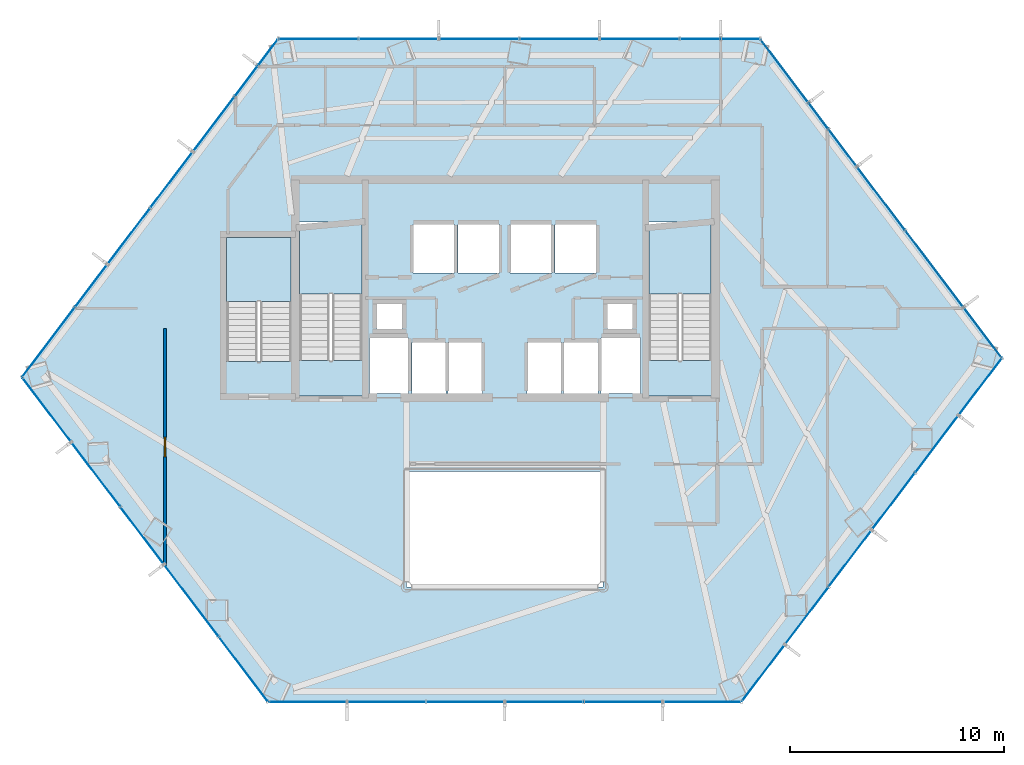
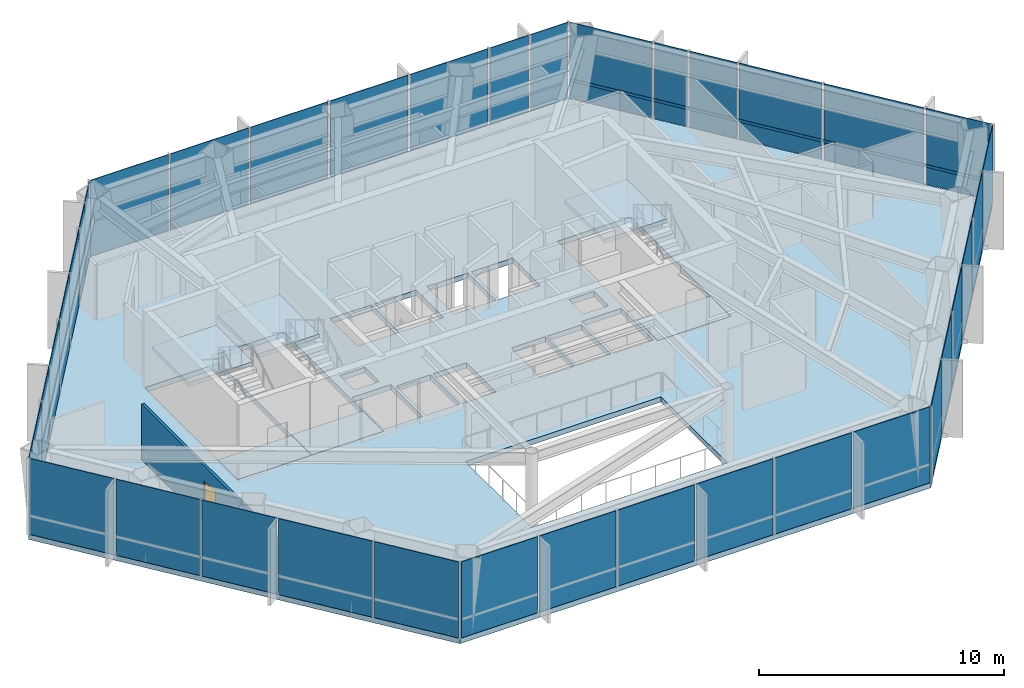
# One storey, part 23 of 27: 37 plates, 7 slabs, 1 door, 1 member, 1 wall, 1 opening, 9 elements without a shape of their own.
"""IFC4 building model written with IfcOpenShell, lengths in metres."""

import ifcopenshell
import ifcopenshell.guid

model = None  # the IFC model being written
_history = None  # IfcOwnerHistory: only IFC2X3 demands one
_inside = {}  # id of a spatial element -> (the spatial element, [elements in it])
_under = {}  # id of a project, library or spatial element -> (it, [spatial elements below it])
_declared = {}  # id of a project -> (the project, [libraries it declares])
_typed = {}  # id of a type object -> (the type object, [elements of that type])
_made_of = {}  # id of a material, layer set ... -> (it, [elements and type objects made of it])


def new_model(schema):
    """Start an empty IFC model of exactly this schema.

    Asked for "IFC4X3", IfcOpenShell would pick the latest addendum, in which some entities
    have other attributes; the version numbers below select the first issue.
    IFC2X3 requires an IfcOwnerHistory on every rooted entity: one is made here for all.
    """
    global model, _history
    if schema == "IFC4X3":
        model = ifcopenshell.file(schema_version=(4, 3, 0, 0))
    else:
        model = ifcopenshell.file(schema=schema)
    _inside.clear()
    _under.clear()
    _declared.clear()
    _typed.clear()
    _made_of.clear()
    _history = None
    if model.schema == "IFC2X3":
        org = make("IfcOrganization", Name="unknown")
        user = make(
            "IfcPersonAndOrganization",
            ThePerson=make("IfcPerson", FamilyName="unknown"),
            TheOrganization=org,
        )
        app = make(
            "IfcApplication",
            ApplicationDeveloper=org,
            Version="unknown",
            ApplicationFullName="unknown",
            ApplicationIdentifier="unknown",
        )
        _history = make(
            "IfcOwnerHistory",
            OwningUser=user,
            OwningApplication=app,
            ChangeAction="ADDED",
            CreationDate=0,
        )
    return model


def make(cls, **values):
    """One entity of the class cls with the attributes given. An attribute that is None is left unset."""
    return model.create_entity(
        cls, **{name: value for name, value in values.items() if value is not None}
    )


def rooted(cls, **values):
    """An entity with a GlobalId (a new one), such as an element, a storey or a relation."""
    return make(cls, GlobalId=ifcopenshell.guid.new(), OwnerHistory=_history, **values)


def si_unit(unit_type, name, prefix=None):
    """IfcSIUnit, for example si_unit("LENGTHUNIT", "METRE", prefix="MILLI")."""
    return make("IfcSIUnit", UnitType=unit_type, Prefix=prefix, Name=name)


def assignment(units):
    """IfcUnitAssignment: the units of a project."""
    return None if units is None else make("IfcUnitAssignment", Units=units)


def point(xyz):
    """IfcCartesianPoint."""
    return None if xyz is None else make("IfcCartesianPoint", Coordinates=xyz)


def direction(xyz):
    """IfcDirection."""
    return None if xyz is None else make("IfcDirection", DirectionRatios=xyz)


def frame(location, z_axis=None, x_axis=None):
    """IfcAxis2Placement3D, a coordinate frame: its origin and axes. An axis left out is left unset."""
    return make(
        "IfcAxis2Placement3D",
        Location=point(location),
        Axis=direction(z_axis),
        RefDirection=direction(x_axis),
    )


def frame_2d(location, x_axis=None):
    """IfcAxis2Placement2D, a coordinate frame in the plane: its origin and x axis."""
    return make(
        "IfcAxis2Placement2D", Location=point(location), RefDirection=direction(x_axis)
    )


def origin():
    """The frame at (0, 0, 0) with its axes left unset."""
    return frame((0.0, 0.0, 0.0))


def origin_2d():
    """The frame at (0, 0) in the plane with its x axis left unset."""
    return frame_2d((0.0, 0.0))


def place(relative_to, where):
    """IfcLocalPlacement: puts the frame where relative to a parent placement (None: the world)."""
    return make(
        "IfcLocalPlacement", PlacementRelTo=relative_to, RelativePlacement=where
    )


def context(
    kind, dimensions, precision=None, world=None, true_north=None, identifier=None
):
    """IfcGeometricRepresentationContext, for example the 3D "Model" context."""
    return make(
        "IfcGeometricRepresentationContext",
        ContextIdentifier=identifier,
        ContextType=kind,
        CoordinateSpaceDimension=dimensions,
        Precision=precision,
        WorldCoordinateSystem=world,
        TrueNorth=true_north,
    )


def subcontext(parent, identifier, kind, view, scale=None):
    """IfcGeometricRepresentationSubContext, for example "Body" below "Model"."""
    return make(
        "IfcGeometricRepresentationSubContext",
        ContextIdentifier=identifier,
        ContextType=kind,
        ParentContext=parent,
        TargetScale=scale,
        TargetView=view,
    )


def project(units=None, contexts=None):
    """IfcProject with its units and contexts."""
    return rooted(
        "IfcProject",
        Name="project",
        RepresentationContexts=contexts,
        UnitsInContext=assignment(units),
    )


def spatial(cls, under=None, at=None, **own):
    """A site, building, storey or space (cls), placed at a placement, below another one or the project."""
    s = rooted(cls, ObjectPlacement=at, **own)
    if under is not None:
        _under.setdefault(under.id(), (under, []))[1].append(s)
    return s


def polyline(points):
    """IfcPolyline through the points."""
    return make("IfcPolyline", Points=[point(p) for p in points])


def profile(cls, at=None, kind="AREA", **sizes):
    """A parametric profile (cls). Its sizes go by their IFC names, for example OverallWidth=200.0."""
    return make(cls, ProfileType=kind, Position=at, **sizes)


def rectangle(**sizes):
    """IfcRectangleProfileDef."""
    return profile("IfcRectangleProfileDef", **sizes)


def hollow_rectangle(**sizes):
    """IfcRectangleHollowProfileDef."""
    return profile("IfcRectangleHollowProfileDef", **sizes)


def outline(outer, holes=None, kind="AREA"):
    """IfcArbitraryClosedProfileDef: a profile drawn as a closed curve; with holes, ...WithVoids."""
    if holes is None:
        return make("IfcArbitraryClosedProfileDef", ProfileType=kind, OuterCurve=outer)
    return make(
        "IfcArbitraryProfileDefWithVoids",
        ProfileType=kind,
        OuterCurve=outer,
        InnerCurves=holes,
    )


def extrude(swept, where, along, depth):
    """IfcExtrudedAreaSolid: the profile swept, set in the frame where, extruded along a direction by depth."""
    return make(
        "IfcExtrudedAreaSolid",
        SweptArea=swept,
        Position=where,
        ExtrudedDirection=direction(along),
        Depth=depth,
    )


def shape(context_of_items, identifier, shape_type, items):
    """IfcShapeRepresentation: the items that make up one representation, for example the "Body"."""
    return make(
        "IfcShapeRepresentation",
        ContextOfItems=context_of_items,
        RepresentationIdentifier=identifier,
        RepresentationType=shape_type,
        Items=items,
    )


def material(Name=None, Category=None):
    """IfcMaterial."""
    return make("IfcMaterial", Name=Name, Category=Category)


def layer(
    of_material, thickness, ventilated=None, Name=None, Category=None, Priority=None
):
    """IfcMaterialLayer: one layer of a wall or slab, of a material (None: an air gap)."""
    return make(
        "IfcMaterialLayer",
        Material=of_material,
        LayerThickness=thickness,
        IsVentilated=ventilated,
        Name=Name,
        Category=Category,
        Priority=Priority,
    )


def layer_set(layers, Name=None):
    """IfcMaterialLayerSet."""
    return make("IfcMaterialLayerSet", MaterialLayers=layers, LayerSetName=Name)


def material_profile(
    of_material, cross_section, Name=None, Category=None, Priority=None
):
    """IfcMaterialProfile: a cross section and its material."""
    return make(
        "IfcMaterialProfile",
        Name=Name,
        Material=of_material,
        Profile=cross_section,
        Priority=Priority,
        Category=Category,
    )


def profile_set(profiles, Name=None, composite=None):
    """IfcMaterialProfileSet."""
    return make(
        "IfcMaterialProfileSet",
        Name=Name,
        MaterialProfiles=profiles,
        CompositeProfile=composite,
    )


def made_of(thing, what):
    """Note that an element or type object is made of a material, layer set ...; save() writes the relation."""
    if what is not None:
        _made_of.setdefault(what.id(), (what, []))[1].append(thing)
    return thing


def type_object(cls, material=None, **own):
    """A type object (cls), such as IfcWallType, which elements share."""
    return made_of(rooted(cls, **own), material)


def element(
    cls,
    number,
    at=None,
    inside=None,
    cuts=None,
    type_object=None,
    material=None,
    context=None,
    identifier="Body",
    shape_type=None,
    held_by="IfcProductDefinitionShape",
    body=None,
    shapes=None,
    **own,
):
    """One element of the class cls, such as IfcWall. Its Tag is "e" and its number.

    at: its placement. inside: the storey or other place that contains it. cuts: it is an
    opening in that element (IfcRelVoidsElement). A single representation is given by context,
    identifier, shape_type and body (its items); several are given by shapes. held_by: the class
    of the entity that holds the representations. save() writes the other relations.
    """
    e = rooted(cls, Tag="e%d" % number, ObjectPlacement=at, **own)
    if body is not None:
        shapes = [shape(context, identifier, shape_type, body)]
    if shapes is not None:
        e.Representation = make(held_by, Representations=shapes)
    if inside is not None:
        _inside.setdefault(inside.id(), (inside, []))[1].append(e)
    if cuts is not None:
        rooted(
            "IfcRelVoidsElement", RelatingBuildingElement=cuts, RelatedOpeningElement=e
        )
    if type_object is not None:
        _typed.setdefault(type_object.id(), (type_object, []))[1].append(e)
    return made_of(e, material)


def fill(opening, filler):
    """IfcRelFillsElement: the door or window that sits in an opening."""
    return rooted(
        "IfcRelFillsElement",
        RelatingOpeningElement=opening,
        RelatedBuildingElement=filler,
    )


def aggregate(whole, parts):
    """IfcRelAggregates: a whole, such as a stair, and the parts it consists of."""
    return rooted("IfcRelAggregates", RelatingObject=whole, RelatedObjects=parts)


def save(model, path):
    """Write the relations noted so far, then the file.

    IfcRelAggregates (storeys below a building ...), IfcRelContainedInSpatialStructure (elements
    in a storey), IfcRelDefinesByType, IfcRelAssociatesMaterial and IfcRelDeclares: one each for
    every whole, place, type object, material and project.
    """
    for whole, parts in _under.values():
        aggregate(whole, parts)
    for where, things in _inside.values():
        rooted(
            "IfcRelContainedInSpatialStructure",
            RelatedElements=things,
            RelatingStructure=where,
        )
    for kind, things in _typed.values():
        rooted("IfcRelDefinesByType", RelatedObjects=things, RelatingType=kind)
    for what, things in _made_of.values():
        rooted("IfcRelAssociatesMaterial", RelatedObjects=things, RelatingMaterial=what)
    for by, libraries in _declared.values():
        rooted("IfcRelDeclares", RelatingContext=by, RelatedDefinitions=libraries)
    model.write(path)


model = new_model("IFC4")

# Units and contexts
model_context = context("Model", 3, precision=1e-05, world=origin(), true_north=direction((0.0, 1.0)))
body_context = subcontext(model_context, "Body", "Model", "MODEL_VIEW")
ifc_project = project(units=[si_unit("LENGTHUNIT", "METRE"), si_unit("AREAUNIT", "SQUARE_METRE"), si_unit("VOLUMEUNIT", "CUBIC_METRE"), si_unit("PLANEANGLEUNIT", "RADIAN"), si_unit("MASSUNIT", "GRAM", prefix="KILO")], contexts=[model_context])

# Site, building, storey
site_placement = place(None, origin())
site = spatial("IfcSite", under=ifc_project, at=site_placement, CompositionType="ELEMENT")
building_placement = place(site_placement, origin())
building = spatial("IfcBuilding", under=site, at=building_placement, Name="Zarrinselat Tower", CompositionType="ELEMENT")
storey_placement = place(building_placement, frame((0.0, 0.0, 47.93994140625)))
storey = spatial("IfcBuildingStorey", under=building, at=storey_placement, Name="L11", CompositionType="ELEMENT", Elevation=47.93994140625)

# Curtain wall, member
ifc_material_1 = material(Name="Extruded Aluminium Alloy EN AW-6063 T6", Category="aluminium")
ifc_layer_1 = layer(ifc_material_1, 0.18505859375)
ifc_layer_set_1 = layer_set([ifc_layer_1], Name="Extruded Aluminium Alloy EN AW-6063 T6")
curtain_wall_type = type_object("IfcCurtainWallType", Name="CWS-OFF", PredefinedType="NOTDEFINED", material=ifc_layer_set_1)
curtain_wall_1_placement = place(storey_placement, origin())
curtain_wall_1 = element("IfcCurtainWall", 1, at=curtain_wall_1_placement, inside=storey, type_object=curtain_wall_type, Name="L11 Unitised Curtain Wall CW-L11-E06", PredefinedType="NOTDEFINED")
ifc_material_2 = material(Name="Extruded Aluminium Alloy EN AW-6063 T6", Category="aluminium")
ifc_material_profile = material_profile(ifc_material_2, hollow_rectangle(XDim=0.06005859375, YDim=0.139892578125, WallThickness=0.00390625, at=origin_2d()), Name="RHS 140x60x4")
ifc_profile_set = profile_set([ifc_material_profile], Name="Extruded Aluminium Alloy EN AW-6063 T6")
member_type = type_object("IfcMemberType", Name="MEM-CW-TRN", PredefinedType="USERDEFINED", material=ifc_profile_set)
member_placement = place(storey_placement, frame((61.6083984375, 35.1826171875, 0.949951171875), z_axis=(-0.60385819465, 0.797091764324, 0.0), x_axis=(-0.797091764324, -0.60385819465, 0.0)))
member = element("IfcMember", 2, at=member_placement, type_object=member_type, Name="CW-L11-E06 Transom 1", ObjectType="TRANSOM", PredefinedType="USERDEFINED", context=body_context, shape_type="SweptSolid", body=[
    extrude(hollow_rectangle(XDim=0.06005859375, YDim=0.139892578125, WallThickness=0.00390625, at=origin_2d()), origin(), (0.0, 0.0, 1.0), 18.554931640625),
])

# Curtain wall, plates
curtain_wall_2_placement = place(storey_placement, origin())
curtain_wall_2 = element("IfcCurtainWall", 3, at=curtain_wall_2_placement, inside=storey, type_object=curtain_wall_type, Name="L11 Unitised Curtain Wall CW-L11-E01", PredefinedType="NOTDEFINED")
ifc_material_3 = material(Name="Double Low-E Laminated Solar Glass", Category="glass")
ifc_layer_2 = layer(ifc_material_3, 0.031982421875)
ifc_layer_set_2 = layer_set([ifc_layer_2], Name="Double Low-E Laminated Solar Glass")
plate_type = type_object("IfcPlateType", Name="PLT-CW-GL32", PredefinedType="CURTAIN_PANEL", material=ifc_layer_set_2)
plate_1_placement = place(storey_placement, frame((49.4248046875, 50.04443359375, 0.02001953125), z_axis=(0.0, 0.0, 1.0), x_axis=(-1.0, 0.0, 0.0)))
plate_1 = element("IfcPlate", 4, at=plate_1_placement, type_object=plate_type, Name="CW-L11-E01 Vision Glass Panel 1", PredefinedType="CURTAIN_PANEL", context=body_context, shape_type="SweptSolid", body=[
    extrude(rectangle(XDim=1.74951171875, YDim=0.031982421875, at=origin_2d()), origin(), (0.0, 0.0, 1.0), 3.780029296875),
])
plate_2_placement = place(storey_placement, frame((47.54541015625, 50.04443359375, 0.02001953125), z_axis=(0.0, 0.0, 1.0), x_axis=(-1.0, 0.0, 0.0)))
plate_2 = element("IfcPlate", 5, at=plate_2_placement, type_object=plate_type, Name="CW-L11-E01 Vision Glass Panel 2", PredefinedType="CURTAIN_PANEL", context=body_context, shape_type="SweptSolid", body=[
    extrude(rectangle(XDim=1.80908203125, YDim=0.031982421875, at=origin_2d()), origin(), (0.0, 0.0, 1.0), 3.780029296875),
])
plate_3_placement = place(storey_placement, frame((44.7119140625, 50.04443359375, 0.02001953125), z_axis=(0.0, 0.0, 1.0), x_axis=(-1.0, 0.0, 0.0)))
plate_3 = element("IfcPlate", 6, at=plate_3_placement, type_object=plate_type, Name="CW-L11-E01 Vision Glass Panel 3", PredefinedType="CURTAIN_PANEL", context=body_context, shape_type="SweptSolid", body=[
    extrude(rectangle(XDim=3.658447265625, YDim=0.031982421875, at=origin_2d()), origin(), (0.0, 0.0, 1.0), 3.780029296875),
])
plate_4_placement = place(storey_placement, frame((40.953369140625, 50.04443359375, 0.02001953125), z_axis=(0.0, 0.0, 1.0), x_axis=(-1.0, 0.0, 0.0)))
plate_4 = element("IfcPlate", 7, at=plate_4_placement, type_object=plate_type, Name="CW-L11-E01 Vision Glass Panel 4", PredefinedType="CURTAIN_PANEL", context=body_context, shape_type="SweptSolid", body=[
    extrude(rectangle(XDim=3.658447265625, YDim=0.031982421875, at=origin_2d()), origin(), (0.0, 0.0, 1.0), 3.780029296875),
])
plate_5_placement = place(storey_placement, frame((37.195068359375, 50.04443359375, 0.02001953125), z_axis=(0.0, 0.0, 1.0), x_axis=(-1.0, 0.0, 0.0)))
plate_5 = element("IfcPlate", 8, at=plate_5_placement, type_object=plate_type, Name="CW-L11-E01 Vision Glass Panel 5", PredefinedType="CURTAIN_PANEL", context=body_context, shape_type="SweptSolid", body=[
    extrude(rectangle(XDim=3.658447265625, YDim=0.031982421875, at=origin_2d()), origin(), (0.0, 0.0, 1.0), 3.780029296875),
])
plate_6_placement = place(storey_placement, frame((33.436767578125, 50.04443359375, 0.02001953125), z_axis=(0.0, 0.0, 1.0), x_axis=(-1.0, 0.0, 0.0)))
plate_6 = element("IfcPlate", 9, at=plate_6_placement, type_object=plate_type, Name="CW-L11-E01 Vision Glass Panel 6", PredefinedType="CURTAIN_PANEL", context=body_context, shape_type="SweptSolid", body=[
    extrude(rectangle(XDim=3.658447265625, YDim=0.031982421875, at=origin_2d()), origin(), (0.0, 0.0, 1.0), 3.780029296875),
])
plate_7_placement = place(storey_placement, frame((29.67822265625, 50.04443359375, 0.02001953125), z_axis=(0.0, 0.0, 1.0), x_axis=(-1.0, 0.0, 0.0)))
plate_7 = element("IfcPlate", 10, at=plate_7_placement, type_object=plate_type, Name="CW-L11-E01 Vision Glass Panel 7", PredefinedType="CURTAIN_PANEL", context=body_context, shape_type="SweptSolid", body=[
    extrude(rectangle(XDim=3.658447265625, YDim=0.031982421875, at=origin_2d()), origin(), (0.0, 0.0, 1.0), 3.780029296875),
])
aggregate(curtain_wall_2, [plate_1, plate_2, plate_3, plate_4, plate_5, plate_6, plate_7])

curtain_wall_3_placement = place(storey_placement, origin())
curtain_wall_3 = element("IfcCurtainWall", 11, at=curtain_wall_3_placement, inside=storey, type_object=curtain_wall_type, Name="L11 Unitised Curtain Wall CW-L11-E02", PredefinedType="NOTDEFINED")
plate_8_placement = place(storey_placement, frame((27.322509765625, 49.415283203125, 0.02001953125), z_axis=(0.0, 0.0, 1.0), x_axis=(-0.603856912101, -0.797092735952, 0.0)))
plate_8 = element("IfcPlate", 12, at=plate_8_placement, type_object=plate_type, Name="CW-L11-E02 Vision Glass Panel 1", PredefinedType="CURTAIN_PANEL", context=body_context, shape_type="SweptSolid", body=[
    extrude(rectangle(XDim=1.478515625, YDim=0.031982421875, at=origin_2d()), origin(), (0.0, 0.0, 1.0), 3.780029296875),
])
plate_9_placement = place(storey_placement, frame((26.299072265625, 48.064208984375, 0.02001953125), z_axis=(0.0, 0.0, 1.0), x_axis=(-0.603856912101, -0.797092735952, 0.0)))
plate_9 = element("IfcPlate", 13, at=plate_9_placement, type_object=plate_type, Name="CW-L11-E02 Vision Glass Panel 2", PredefinedType="CURTAIN_PANEL", context=body_context, shape_type="SweptSolid", body=[
    extrude(rectangle(XDim=1.711181640625, YDim=0.031982421875, at=origin_2d()), origin(), (0.0, 0.0, 1.0), 3.780029296875),
])
plate_10_placement = place(storey_placement, frame((24.777587890625, 46.05615234375, 0.02001953125), z_axis=(0.0, 0.0, 1.0), x_axis=(-0.603856912101, -0.797092735952, 0.0)))
plate_10 = element("IfcPlate", 14, at=plate_10_placement, type_object=plate_type, Name="CW-L11-E02 Vision Glass Panel 3", PredefinedType="CURTAIN_PANEL", context=body_context, shape_type="SweptSolid", body=[
    extrude(rectangle(XDim=3.12744140625, YDim=0.031982421875, at=origin_2d()), origin(), (0.0, 0.0, 1.0), 3.780029296875),
])
plate_11_placement = place(storey_placement, frame((22.80419921875, 43.451416015625, 0.02001953125), z_axis=(0.0, 0.0, 1.0), x_axis=(-0.603856912101, -0.797092735952, 0.0)))
plate_11 = element("IfcPlate", 15, at=plate_11_placement, type_object=plate_type, Name="CW-L11-E02 Vision Glass Panel 4", PredefinedType="CURTAIN_PANEL", context=body_context, shape_type="SweptSolid", body=[
    extrude(rectangle(XDim=3.20849609375, YDim=0.031982421875, at=origin_2d()), origin(), (0.0, 0.0, 1.0), 3.780029296875),
])
plate_12_placement = place(storey_placement, frame((20.806396484375, 40.814208984375, 0.02001953125), z_axis=(0.0, 0.0, 1.0), x_axis=(-0.603856912101, -0.797092735952, 0.0)))
plate_12 = element("IfcPlate", 16, at=plate_12_placement, type_object=plate_type, Name="CW-L11-E02 Vision Glass Panel 5", PredefinedType="CURTAIN_PANEL", context=body_context, shape_type="SweptSolid", body=[
    extrude(rectangle(XDim=3.20849609375, YDim=0.031982421875, at=origin_2d()), origin(), (0.0, 0.0, 1.0), 3.780029296875),
])
plate_13_placement = place(storey_placement, frame((19.04638671875, 38.490966796875, 0.02001953125), z_axis=(0.0, 0.0, 1.0), x_axis=(-0.603856912101, -0.797092735952, 0.0)))
plate_13 = element("IfcPlate", 17, at=plate_13_placement, type_object=plate_type, Name="CW-L11-E02 Vision Glass Panel 6", PredefinedType="CURTAIN_PANEL", context=body_context, shape_type="SweptSolid", body=[
    extrude(rectangle(XDim=2.420654296875, YDim=0.031982421875, at=origin_2d()), origin(), (0.0, 0.0, 1.0), 3.780029296875),
])
plate_14_placement = place(storey_placement, frame((17.048583984375, 35.853515625, 0.02001953125), z_axis=(0.0, 0.0, 1.0), x_axis=(-0.603856912101, -0.797092735952, 0.0)))
plate_14 = element("IfcPlate", 18, at=plate_14_placement, type_object=plate_type, Name="CW-L11-E02 Vision Glass Panel 7", PredefinedType="CURTAIN_PANEL", context=body_context, shape_type="SweptSolid", body=[
    extrude(rectangle(XDim=3.996337890625, YDim=0.031982421875, at=origin_2d()), origin(), (0.0, 0.0, 1.0), 3.780029296875),
])
aggregate(curtain_wall_3, [plate_8, plate_9, plate_10, plate_11, plate_12, plate_13, plate_14])

curtain_wall_4_placement = place(storey_placement, origin())
curtain_wall_4 = element("IfcCurtainWall", 19, at=curtain_wall_4_placement, inside=storey, type_object=curtain_wall_type, Name="L11 Unitised Curtain Wall CW-L11-E03", PredefinedType="NOTDEFINED")
plate_15_placement = place(storey_placement, frame((16.963134765625, 32.701171875, 0.02001953125), z_axis=(0.0, 0.0, 1.0), x_axis=(0.603857284091, -0.797092454142, 0.0)))
plate_15 = element("IfcPlate", 20, at=plate_15_placement, type_object=plate_type, Name="CW-L11-E03 Vision Glass Panel 1", PredefinedType="CURTAIN_PANEL", context=body_context, shape_type="SweptSolid", body=[
    extrude(rectangle(XDim=3.71337890625, YDim=0.031982421875, at=origin_2d()), origin(), (0.0, 0.0, 1.0), 3.780029296875),
])
plate_16_placement = place(storey_placement, frame((19.265869140625, 29.66162109375, 0.02001953125), z_axis=(0.0, 0.0, 1.0), x_axis=(0.603857284091, -0.797092454142, 0.0)))
plate_16 = element("IfcPlate", 21, at=plate_16_placement, type_object=plate_type, Name="CW-L11-E03 Vision Glass Panel 2", PredefinedType="CURTAIN_PANEL", context=body_context, shape_type="SweptSolid", body=[
    extrude(rectangle(XDim=3.71337890625, YDim=0.031982421875, at=origin_2d()), origin(), (0.0, 0.0, 1.0), 3.780029296875),
])
plate_17_placement = place(storey_placement, frame((21.434814453125, 26.798583984375, 0.02001953125), z_axis=(0.0, 0.0, 1.0), x_axis=(0.603857284091, -0.797092454142, 0.0)))
plate_17 = element("IfcPlate", 22, at=plate_17_placement, type_object=plate_type, Name="CW-L11-E03 Vision Glass Panel 3", PredefinedType="CURTAIN_PANEL", context=body_context, shape_type="SweptSolid", body=[
    extrude(rectangle(XDim=3.27001953125, YDim=0.031982421875, at=origin_2d()), origin(), (0.0, 0.0, 1.0), 3.780029296875),
])
plate_18_placement = place(storey_placement, frame((23.7373046875, 23.759033203125, 0.02001953125), z_axis=(0.0, 0.0, 1.0), x_axis=(0.603857284091, -0.797092454142, 0.0)))
plate_18 = element("IfcPlate", 23, at=plate_18_placement, type_object=plate_type, Name="CW-L11-E03 Vision Glass Panel 4", PredefinedType="CURTAIN_PANEL", context=body_context, shape_type="SweptSolid", body=[
    extrude(rectangle(XDim=4.15673828125, YDim=0.031982421875, at=origin_2d()), origin(), (0.0, 0.0, 1.0), 3.780029296875),
])
plate_19_placement = place(storey_placement, frame((26.174072265625, 20.542724609375, 0.02001953125), z_axis=(0.0, 0.0, 1.0), x_axis=(0.603857284091, -0.797092454142, 0.0)))
plate_19 = element("IfcPlate", 24, at=plate_19_placement, type_object=plate_type, Name="CW-L11-E03 Vision Glass Panel 5", PredefinedType="CURTAIN_PANEL", context=body_context, shape_type="SweptSolid", body=[
    extrude(rectangle(XDim=3.71337890625, YDim=0.031982421875, at=origin_2d()), origin(), (0.0, 0.0, 1.0), 3.780029296875),
])
aggregate(curtain_wall_4, [plate_15, plate_16, plate_17, plate_18, plate_19])

curtain_wall_5_placement = place(storey_placement, origin())
curtain_wall_5 = element("IfcCurtainWall", 25, at=curtain_wall_5_placement, inside=storey, type_object=curtain_wall_type, Name="L11 Unitised Curtain Wall CW-L11-E04", PredefinedType="NOTDEFINED")
plate_20_placement = place(storey_placement, frame((29.171142578125, 19.02294921875, 0.02001953125), z_axis=(0.0, 0.0, 1.0), x_axis=(1.0, 0.0, 0.0)))
plate_20 = element("IfcPlate", 26, at=plate_20_placement, type_object=plate_type, Name="CW-L11-E04 Vision Glass Panel 1", PredefinedType="CURTAIN_PANEL", context=body_context, shape_type="SweptSolid", body=[
    extrude(rectangle(XDim=3.591552734375, YDim=0.031982421875, at=origin_2d()), origin(), (0.0, 0.0, 1.0), 3.780029296875),
])
plate_21_placement = place(storey_placement, frame((32.86279296875, 19.02294921875, 0.02001953125), z_axis=(0.0, 0.0, 1.0), x_axis=(1.0, 0.0, 0.0)))
plate_21 = element("IfcPlate", 27, at=plate_21_placement, type_object=plate_type, Name="CW-L11-E04 Vision Glass Panel 2", PredefinedType="CURTAIN_PANEL", context=body_context, shape_type="SweptSolid", body=[
    extrude(rectangle(XDim=3.591552734375, YDim=0.031982421875, at=origin_2d()), origin(), (0.0, 0.0, 1.0), 3.780029296875),
])
plate_22_placement = place(storey_placement, frame((36.55419921875, 19.02294921875, 0.02001953125), z_axis=(0.0, 0.0, 1.0), x_axis=(1.0, 0.0, 0.0)))
plate_22 = element("IfcPlate", 28, at=plate_22_placement, type_object=plate_type, Name="CW-L11-E04 Vision Glass Panel 3", PredefinedType="CURTAIN_PANEL", context=body_context, shape_type="SweptSolid", body=[
    extrude(rectangle(XDim=3.591552734375, YDim=0.031982421875, at=origin_2d()), origin(), (0.0, 0.0, 1.0), 3.780029296875),
])
plate_23_placement = place(storey_placement, frame((40.245849609375, 19.02294921875, 0.02001953125), z_axis=(0.0, 0.0, 1.0), x_axis=(1.0, 0.0, 0.0)))
plate_23 = element("IfcPlate", 29, at=plate_23_placement, type_object=plate_type, Name="CW-L11-E04 Vision Glass Panel 4", PredefinedType="CURTAIN_PANEL", context=body_context, shape_type="SweptSolid", body=[
    extrude(rectangle(XDim=3.591552734375, YDim=0.031982421875, at=origin_2d()), origin(), (0.0, 0.0, 1.0), 3.780029296875),
])
plate_24_placement = place(storey_placement, frame((43.937255859375, 19.02294921875, 0.02001953125), z_axis=(0.0, 0.0, 1.0), x_axis=(1.0, 0.0, 0.0)))
plate_24 = element("IfcPlate", 30, at=plate_24_placement, type_object=plate_type, Name="CW-L11-E04 Vision Glass Panel 5", PredefinedType="CURTAIN_PANEL", context=body_context, shape_type="SweptSolid", body=[
    extrude(rectangle(XDim=3.591552734375, YDim=0.031982421875, at=origin_2d()), origin(), (0.0, 0.0, 1.0), 3.780029296875),
])
plate_25_placement = place(storey_placement, frame((47.62890625, 19.02294921875, 0.02001953125), z_axis=(0.0, 0.0, 1.0), x_axis=(1.0, 0.0, 0.0)))
plate_25 = element("IfcPlate", 31, at=plate_25_placement, type_object=plate_type, Name="CW-L11-E04 Vision Glass Panel 6", PredefinedType="CURTAIN_PANEL", context=body_context, shape_type="SweptSolid", body=[
    extrude(rectangle(XDim=3.591552734375, YDim=0.031982421875, at=origin_2d()), origin(), (0.0, 0.0, 1.0), 3.780029296875),
])
aggregate(curtain_wall_5, [plate_20, plate_21, plate_22, plate_23, plate_24, plate_25])

curtain_wall_6_placement = place(storey_placement, origin())
curtain_wall_6 = element("IfcCurtainWall", 32, at=curtain_wall_6_placement, inside=storey, type_object=curtain_wall_type, Name="L11 Unitised Curtain Wall CW-L11-E05", PredefinedType="NOTDEFINED")
plate_26_placement = place(storey_placement, frame((50.490234375, 20.363525390625, 0.02001953125), z_axis=(0.0, 0.0, 1.0), x_axis=(0.603859118859, 0.797091064164, 0.0)))
plate_26 = element("IfcPlate", 33, at=plate_26_placement, type_object=plate_type, Name="CW-L11-E05 Vision Glass Panel 1", PredefinedType="CURTAIN_PANEL", context=body_context, shape_type="SweptSolid", body=[
    extrude(rectangle(XDim=3.263916015625, YDim=0.031982421875, at=origin_2d()), origin(), (0.0, 0.0, 1.0), 3.780029296875),
])
plate_27_placement = place(storey_placement, frame((52.52685546875, 23.052001953125, 0.02001953125), z_axis=(0.0, 0.0, 1.0), x_axis=(0.603859118859, 0.797091064164, 0.0)))
plate_27 = element("IfcPlate", 34, at=plate_27_placement, type_object=plate_type, Name="CW-L11-E05 Vision Glass Panel 2", PredefinedType="CURTAIN_PANEL", context=body_context, shape_type="SweptSolid", body=[
    extrude(rectangle(XDim=3.281494140625, YDim=0.031982421875, at=origin_2d()), origin(), (0.0, 0.0, 1.0), 3.780029296875),
])
plate_28_placement = place(storey_placement, frame((54.55810546875, 25.7333984375, 0.02001953125), z_axis=(0.0, 0.0, 1.0), x_axis=(0.603859118859, 0.797091064164, 0.0)))
plate_28 = element("IfcPlate", 35, at=plate_28_placement, type_object=plate_type, Name="CW-L11-E05 Vision Glass Panel 3", PredefinedType="CURTAIN_PANEL", context=body_context, shape_type="SweptSolid", body=[
    extrude(rectangle(XDim=3.246337890625, YDim=0.031982421875, at=origin_2d()), origin(), (0.0, 0.0, 1.0), 3.780029296875),
])
plate_29_placement = place(storey_placement, frame((56.584228515625, 28.40771484375, 0.02001953125), z_axis=(0.0, 0.0, 1.0), x_axis=(0.603859118859, 0.797091064164, 0.0)))
plate_29 = element("IfcPlate", 36, at=plate_29_placement, type_object=plate_type, Name="CW-L11-E05 Vision Glass Panel 4", PredefinedType="CURTAIN_PANEL", context=body_context, shape_type="SweptSolid", body=[
    extrude(rectangle(XDim=3.263916015625, YDim=0.031982421875, at=origin_2d()), origin(), (0.0, 0.0, 1.0), 3.780029296875),
])
plate_30_placement = place(storey_placement, frame((58.615478515625, 31.089111328125, 0.02001953125), z_axis=(0.0, 0.0, 1.0), x_axis=(0.603859118859, 0.797091064164, 0.0)))
plate_30 = element("IfcPlate", 37, at=plate_30_placement, type_object=plate_type, Name="CW-L11-E05 Vision Glass Panel 5", PredefinedType="CURTAIN_PANEL", context=body_context, shape_type="SweptSolid", body=[
    extrude(rectangle(XDim=3.263916015625, YDim=0.031982421875, at=origin_2d()), origin(), (0.0, 0.0, 1.0), 3.780029296875),
])
plate_31_placement = place(storey_placement, frame((60.64697265625, 33.770263671875, 0.02001953125), z_axis=(0.0, 0.0, 1.0), x_axis=(0.603859118859, 0.797091064164, 0.0)))
plate_31 = element("IfcPlate", 38, at=plate_31_placement, type_object=plate_type, Name="CW-L11-E05 Vision Glass Panel 6", PredefinedType="CURTAIN_PANEL", context=body_context, shape_type="SweptSolid", body=[
    extrude(rectangle(XDim=3.263916015625, YDim=0.031982421875, at=origin_2d()), origin(), (0.0, 0.0, 1.0), 3.780029296875),
])
aggregate(curtain_wall_6, [plate_26, plate_27, plate_28, plate_29, plate_30, plate_31])

# Plate
plate_32_placement = place(storey_placement, frame((60.762939453125, 36.298583984375, 0.02001953125), z_axis=(0.0, 0.0, 1.0), x_axis=(-0.603858304597, 0.797091681031, 0.0)))
plate_32 = element("IfcPlate", 39, at=plate_32_placement, type_object=plate_type, Name="CW-L11-E06 Vision Glass Panel 1", PredefinedType="CURTAIN_PANEL", context=body_context, shape_type="SweptSolid", body=[
    extrude(rectangle(XDim=2.8798828125, YDim=0.031982421875, at=origin_2d()), origin(), (0.0, 0.0, 1.0), 3.780029296875),
])

plate_33_placement = place(storey_placement, frame((58.500244140625, 39.285400390625, 0.02001953125), z_axis=(0.0, 0.0, 1.0), x_axis=(-0.603858304597, 0.797091681031, 0.0)))
plate_33 = element("IfcPlate", 40, at=plate_33_placement, type_object=plate_type, Name="CW-L11-E06 Vision Glass Panel 2", PredefinedType="CURTAIN_PANEL", context=body_context, shape_type="SweptSolid", body=[
    extrude(rectangle(XDim=4.4140625, YDim=0.031982421875, at=origin_2d()), origin(), (0.0, 0.0, 1.0), 3.780029296875),
])

plate_34_placement = place(storey_placement, frame((56.006103515625, 42.57763671875, 0.02001953125), z_axis=(0.0, 0.0, 1.0), x_axis=(-0.603858304597, 0.797091681031, 0.0)))
plate_34 = element("IfcPlate", 41, at=plate_34_placement, type_object=plate_type, Name="CW-L11-E06 Vision Glass Panel 3", PredefinedType="CURTAIN_PANEL", context=body_context, shape_type="SweptSolid", body=[
    extrude(rectangle(XDim=3.64697265625, YDim=0.031982421875, at=origin_2d()), origin(), (0.0, 0.0, 1.0), 3.780029296875),
])

plate_35_placement = place(storey_placement, frame((54.211181640625, 44.94677734375, 0.02001953125), z_axis=(0.0, 0.0, 1.0), x_axis=(-0.603858304597, 0.797091681031, 0.0)))
plate_35 = element("IfcPlate", 42, at=plate_35_placement, type_object=plate_type, Name="CW-L11-E06 Vision Glass Panel 4", PredefinedType="CURTAIN_PANEL", context=body_context, shape_type="SweptSolid", body=[
    extrude(rectangle(XDim=2.097412109375, YDim=0.031982421875, at=origin_2d()), origin(), (0.0, 0.0, 1.0), 3.780029296875),
])

plate_36_placement = place(storey_placement, frame((53.079833984375, 46.440185546875, 0.02001953125), z_axis=(0.0, 0.0, 1.0), x_axis=(-0.603858304597, 0.797091681031, 0.0)))
plate_36 = element("IfcPlate", 43, at=plate_36_placement, type_object=plate_type, Name="CW-L11-E06 Vision Glass Panel 5", PredefinedType="CURTAIN_PANEL", context=body_context, shape_type="SweptSolid", body=[
    extrude(rectangle(XDim=1.44970703125, YDim=0.031982421875, at=origin_2d()), origin(), (0.0, 0.0, 1.0), 3.780029296875),
])

plate_37_placement = place(storey_placement, frame((51.480712890625, 48.551025390625, 0.02001953125), z_axis=(0.0, 0.0, 1.0), x_axis=(-0.603858304597, 0.797091681031, 0.0)))
plate_37 = element("IfcPlate", 44, at=plate_37_placement, type_object=plate_type, Name="CW-L11-E06 Vision Glass Panel 6", PredefinedType="CURTAIN_PANEL", context=body_context, shape_type="SweptSolid", body=[
    extrude(rectangle(XDim=3.64697265625, YDim=0.031982421875, at=origin_2d()), origin(), (0.0, 0.0, 1.0), 3.780029296875),
])

aggregate(curtain_wall_1, [member, plate_32, plate_33, plate_34, plate_35, plate_36, plate_37])

# Slabs
ifc_material_4 = material(Name="Concrete C40/50", Category="concrete")
ifc_layer_3 = layer(ifc_material_4, 0.260009765625)
ifc_layer_set_3 = layer_set([ifc_layer_3], Name="Concrete C40/50")
slab_type_1 = type_object("IfcSlabType", Name="SLB-FLOOR-260-SL-OF260", PredefinedType="FLOOR", material=ifc_layer_set_3)
slab_1_placement = place(storey_placement, frame((0.0, 0.0, -0.260009765625)))
element("IfcSlab", 45, at=slab_1_placement, inside=storey, type_object=slab_type_1, Name="L11 Primary Structural Slab", PredefinedType="FLOOR", context=body_context, shape_type="SweptSolid", body=[
    extrude(outline(polyline([(50.349365234375, 50.04443359375), (27.799072265625, 50.04443359375), (15.811767578125, 34.220947265625), (27.325439453125, 19.02294921875), (49.474609375, 19.02294921875), (61.66259765625, 35.111083984375), (50.349365234375, 50.04443359375)]), holes=[polyline([(34.050048828125, 33.449951171875), (34.050048828125, 35.85009765625), (35.64990234375, 35.85009765625), (35.64990234375, 33.449951171875), (34.050048828125, 33.449951171875)]), polyline([(35.75, 33.449951171875), (35.75, 35.85009765625), (37.35009765625, 35.85009765625), (37.35009765625, 33.449951171875), (35.75, 33.449951171875)]), polyline([(32.06005859375, 33.449951171875), (32.06005859375, 36.050048828125), (33.89990234375, 36.050048828125), (33.89990234375, 33.449951171875), (32.06005859375, 33.449951171875)]), polyline([(32.419921875, 36.47998046875), (32.419921875, 37.639892578125), (33.60009765625, 37.639892578125), (33.60009765625, 36.47998046875), (32.419921875, 36.47998046875)]), polyline([(28.594970703125, 33.324951171875), (25.114990234375, 33.324951171875), (25.114990234375, 40.875), (28.594970703125, 40.875), (28.594970703125, 33.324951171875)]), polyline([(31.985107421875, 33.324951171875), (28.60498046875, 33.324951171875), (28.60498046875, 41.47509765625), (31.985107421875, 41.47509765625), (31.985107421875, 33.324951171875)]), polyline([(34.10009765625, 39.10009765625), (34.10009765625, 41.35009765625), (36.050048828125, 41.35009765625), (36.050048828125, 39.10009765625), (34.10009765625, 39.10009765625)]), polyline([(36.199951171875, 39.10009765625), (36.199951171875, 41.35009765625), (38.14990234375, 41.35009765625), (38.14990234375, 39.10009765625), (36.199951171875, 39.10009765625)]), polyline([(33.800048828125, 24.39990234375), (33.800048828125, 29.800048828125), (43.0, 29.800048828125), (43.0, 24.39990234375), (33.800048828125, 24.39990234375)]), polyline([(39.449951171875, 33.449951171875), (39.449951171875, 35.85009765625), (41.050048828125, 35.85009765625), (41.050048828125, 33.449951171875), (39.449951171875, 33.449951171875)]), polyline([(41.14990234375, 33.449951171875), (41.14990234375, 35.85009765625), (42.75, 35.85009765625), (42.75, 33.449951171875), (41.14990234375, 33.449951171875)]), polyline([(42.89990234375, 33.449951171875), (42.89990234375, 36.050048828125), (44.739990234375, 36.050048828125), (44.739990234375, 33.449951171875), (42.89990234375, 33.449951171875)]), polyline([(43.199951171875, 36.47998046875), (43.199951171875, 37.639892578125), (44.3798828125, 37.639892578125), (44.3798828125, 36.47998046875), (43.199951171875, 36.47998046875)]), polyline([(48.324951171875, 33.324951171875), (44.875, 33.324951171875), (44.875, 41.47509765625), (48.324951171875, 41.47509765625), (48.324951171875, 33.324951171875)]), polyline([(38.64990234375, 39.10009765625), (38.64990234375, 41.35009765625), (40.60009765625, 41.35009765625), (40.60009765625, 39.10009765625), (38.64990234375, 39.10009765625)]), polyline([(40.75, 39.10009765625), (40.75, 41.35009765625), (42.699951171875, 41.35009765625), (42.699951171875, 39.10009765625), (40.75, 39.10009765625)])]), origin(), (0.0, 0.0, 1.0), 0.260009765625),
])
slab_2_placement = place(storey_placement, frame((0.0, 0.0, -0.260009765625)))
element("IfcSlab", 46, at=slab_2_placement, inside=storey, type_object=slab_type_1, Name="L11 Stair ST-1-FL1 Structural Floor Landing", PredefinedType="FLOOR", context=body_context, shape_type="SweptSolid", body=[
    extrude(outline(polyline([(31.97998046875, 33.330078125), (31.97998046875, 35.0), (28.610107421875, 35.0), (28.610107421875, 33.330078125), (31.97998046875, 33.330078125)])), origin(), (0.0, 0.0, 1.0), 0.260009765625),
])
slab_3_placement = place(storey_placement, frame((0.0, 0.0, -0.260009765625)))
element("IfcSlab", 47, at=slab_3_placement, inside=storey, type_object=slab_type_1, Name="L11 Stair ST-2-FL1 Structural Floor Landing", PredefinedType="FLOOR", context=body_context, shape_type="SweptSolid", body=[
    extrude(outline(polyline([(48.320068359375, 33.330078125), (48.320068359375, 35.0), (44.8798828125, 35.0), (44.8798828125, 33.330078125), (48.320068359375, 33.330078125)])), origin(), (0.0, 0.0, 1.0), 0.260009765625),
])
slab_4_placement = place(storey_placement, frame((0.0, 0.0, -0.260009765625)))
element("IfcSlab", 48, at=slab_4_placement, inside=storey, type_object=slab_type_1, Name="L11 Stair ST-3-FL1 Structural Floor Landing", PredefinedType="FLOOR", context=body_context, shape_type="SweptSolid", body=[
    extrude(outline(polyline([(28.590087890625, 33.330078125), (28.590087890625, 34.949951171875), (25.1201171875, 34.949951171875), (25.1201171875, 33.330078125), (28.590087890625, 33.330078125)])), origin(), (0.0, 0.0, 1.0), 0.260009765625),
])

# Stair, slab
ifc_material_5 = material(Name="Concrete C40/50", Category="concrete")
stair_type_1 = type_object("IfcStairType", Name="STR-CORE-145", PredefinedType="HALF_TURN_STAIR", material=ifc_material_5)
stair_1_placement = place(storey_placement, origin())
stair_1 = element("IfcStair", 49, at=stair_1_placement, inside=storey, type_object=stair_type_1, Name="L11 Podium & Mid-Tower Exit Stair 3", PredefinedType="HALF_TURN_STAIR")
ifc_material_6 = material(Name="Concrete C40/50", Category="concrete")
ifc_layer_4 = layer(ifc_material_6, 0.1650390625)
ifc_layer_set_4 = layer_set([ifc_layer_4], Name="Concrete C40/50")
slab_type_2 = type_object("IfcSlabType", Name="SLB-LND-165", PredefinedType="LANDING", material=ifc_layer_set_4)
slab_5_placement = place(storey_placement, frame((0.0, 0.0, 1.840087890625)))
slab_5 = element("IfcSlab", 50, at=slab_5_placement, type_object=slab_type_2, Name="ST-3 landing 1", PredefinedType="LANDING", context=body_context, shape_type="SweptSolid", body=[
    extrude(outline(polyline([(28.39990234375, 37.75), (28.39990234375, 40.75), (25.3798828125, 40.75), (25.3798828125, 37.75), (28.39990234375, 37.75)])), origin(), (0.0, 0.0, 1.0), 0.199951171875),
])
aggregate(stair_1, [slab_5])

ifc_material_7 = material(Name="Concrete C40/50", Category="concrete")
stair_type_2 = type_object("IfcStairType", Name="STR-CORE-155", PredefinedType="HALF_TURN_STAIR", material=ifc_material_7)
stair_2_placement = place(storey_placement, origin())
stair_2 = element("IfcStair", 51, at=stair_2_placement, inside=storey, type_object=stair_type_2, Name="L11 Core Exit Stair 1", PredefinedType="HALF_TURN_STAIR")
ifc_material_8 = material(Name="Concrete C40/50", Category="concrete")
ifc_layer_5 = layer(ifc_material_8, 0.18994140625)
ifc_layer_set_5 = layer_set([ifc_layer_5], Name="Concrete C40/50")
slab_type_3 = type_object("IfcSlabType", Name="SLB-LND-190", PredefinedType="LANDING", material=ifc_layer_set_5)
slab_6_placement = place(storey_placement, frame((0.0, 0.0, 1.840087890625)))
slab_6 = element("IfcSlab", 52, at=slab_6_placement, type_object=slab_type_3, Name="ST-1 landing 1", PredefinedType="LANDING", context=body_context, shape_type="SweptSolid", body=[
    extrude(outline(polyline([(31.719970703125, 38.10009765625), (31.719970703125, 41.35009765625), (28.800048828125, 41.35009765625), (28.800048828125, 38.10009765625), (31.719970703125, 38.10009765625)])), origin(), (0.0, 0.0, 1.0), 0.199951171875),
])
aggregate(stair_2, [slab_6])

stair_3_placement = place(storey_placement, origin())
stair_3 = element("IfcStair", 53, at=stair_3_placement, inside=storey, type_object=stair_type_2, Name="L11 Core Exit Stair 2", PredefinedType="HALF_TURN_STAIR")
slab_7_placement = place(storey_placement, frame((0.0, 0.0, 1.840087890625)))
slab_7 = element("IfcSlab", 54, at=slab_7_placement, type_object=slab_type_3, Name="ST-2 landing 1", PredefinedType="LANDING", context=body_context, shape_type="SweptSolid", body=[
    extrude(outline(polyline([(48.06005859375, 38.10009765625), (48.06005859375, 41.35009765625), (45.139892578125, 41.35009765625), (45.139892578125, 38.10009765625), (48.06005859375, 38.10009765625)])), origin(), (0.0, 0.0, 1.0), 0.199951171875),
])
aggregate(stair_3, [slab_7])

# Wall, opening, door
ifc_material_9 = material(Name="Fire-Rated Gypsum Board Partition", Category="gypsum")
ifc_layer_6 = layer(ifc_material_9, 0.1201171875)
ifc_layer_set_6 = layer_set([ifc_layer_6], Name="Fire-Rated Gypsum Board Partition")
wall_type = type_object("IfcWallType", Name="WAL-PART-STD", PredefinedType="PARTITIONING", material=ifc_layer_set_6)
wall_placement = place(storey_placement, frame((22.5, 25.407470703125, 0.0), z_axis=(0.0, 0.0, 1.0), x_axis=(0.0, 1.0, 0.0)))
wall = element("IfcWall", 55, at=wall_placement, inside=storey, type_object=wall_type, Name="L11 Partition Wall 42", PredefinedType="PARTITIONING", context=body_context, shape_type="SweptSolid", body=[
    extrude(rectangle(XDim=11.092529296875, YDim=0.1201171875, at=frame_2d((5.54638671875, 0.0))), origin(), (0.0, 0.0, 1.0), 2.777099609375),
])
opening_placement = place(wall_placement, frame((5.09619140625, 0.0, 0.0)))
opening = element("IfcOpeningElement", 56, at=opening_placement, cuts=wall, Name="Opening ID-05", PredefinedType="OPENING", context=body_context, shape_type="SweptSolid", body=[
    extrude(rectangle(XDim=0.89990234375, YDim=2.050048828125, at=frame_2d((0.449951171875, 1.02490234375))), frame((0.0, 0.070068359375, 0.0), z_axis=(0.0, -1.0, 0.0), x_axis=(1.0, 0.0, 0.0)), (0.0, 0.0, 1.0), 0.14013671875),
])
ifc_material_10 = material(Name="Extruded Aluminium Alloy EN AW-6063 T6", Category="aluminium")
door_type = type_object("IfcDoorType", Name="DR-INT-STD-920", OperationType="NOTDEFINED", PredefinedType="DOOR", material=ifc_material_10)
door_placement = place(opening_placement, origin())
door = element("IfcDoor", 57, at=door_placement, inside=storey, type_object=door_type, Name="L11 Interior Door P42", OperationType="SINGLE_SWING_RIGHT", OverallHeight=2.050048828125, OverallWidth=0.89990234375, PredefinedType="DOOR", context=body_context, shape_type="SweptSolid", body=[
    extrude(rectangle(XDim=0.89990234375, YDim=2.050048828125, at=frame_2d((0.449951171875, 1.02490234375))), frame((0.0, 0.02490234375, 0.0), z_axis=(0.0, -1.0, 0.0), x_axis=(1.0, 0.0, 0.0)), (0.0, 0.0, 1.0), 0.050048828125),
])
fill(opening, door)

save(model, "model.ifc")
